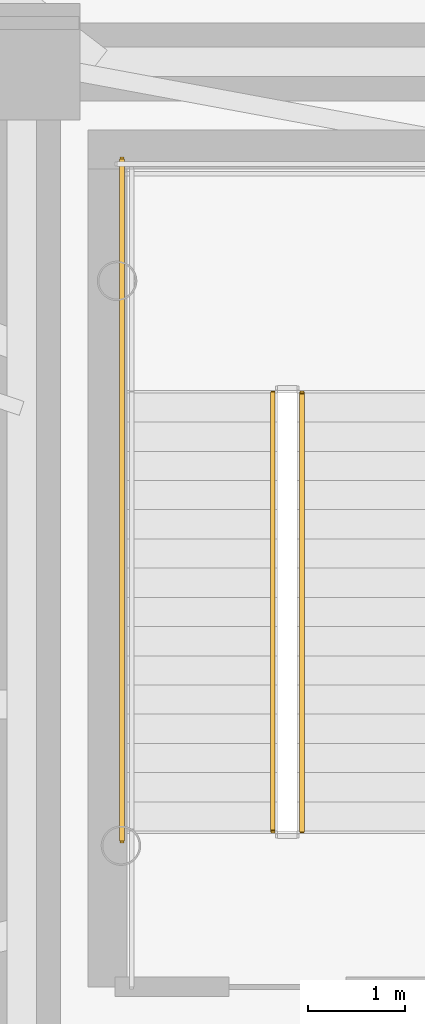
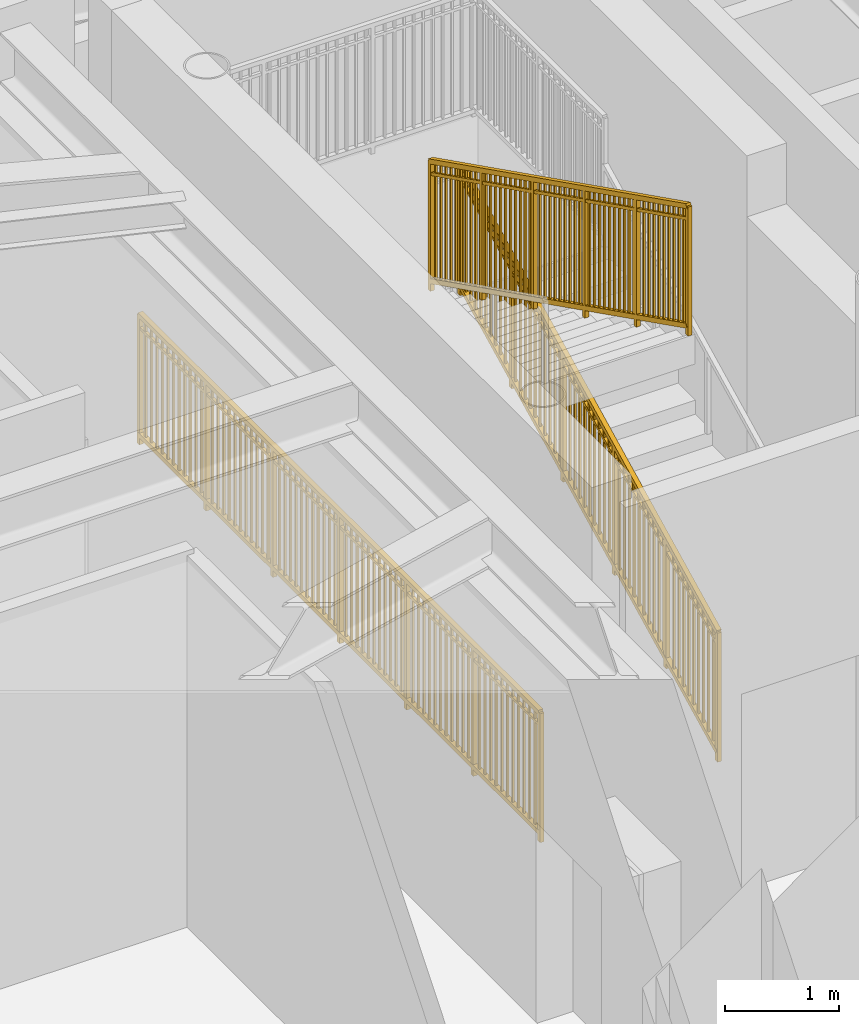
# One storey, part 32 of 38: 3 railings.
"""IFC4 building model written with IfcOpenShell, lengths in metres."""

from ifc_helpers import new_model, si_unit, direction, frame, origin, origin_2d, place, context, subcontext, project, spatial, rectangle, extrude, source, transform, mapped, material, type_object, element, save


model = new_model("IFC4")

# Units and contexts
model_context = context("Model", 3, precision=1e-05, world=origin(), true_north=direction((0.0, 1.0)))
body_context = subcontext(model_context, "Body", "Model", "MODEL_VIEW")
ifc_project = project(units=[si_unit("LENGTHUNIT", "METRE"), si_unit("AREAUNIT", "SQUARE_METRE"), si_unit("VOLUMEUNIT", "CUBIC_METRE"), si_unit("PLANEANGLEUNIT", "RADIAN"), si_unit("MASSUNIT", "GRAM", prefix="KILO")], contexts=[model_context])

# Site, building, storey
site_placement = place(None, origin())
site = spatial("IfcSite", under=ifc_project, at=site_placement, CompositionType="ELEMENT")
building_placement = place(site_placement, origin())
building = spatial("IfcBuilding", under=site, at=building_placement, Name="Linh Dai School and Residence Tower", CompositionType="ELEMENT")
storey_placement = place(building_placement, frame((0.0, 0.0, 151.35009765625)))
storey = spatial("IfcBuildingStorey", under=building, at=storey_placement, Name="L36", CompositionType="ELEMENT", Elevation=151.35009765625)

# Railings
ifc_material = material(Name="Structural Steel S355JR", Category="steel")
railing_type = type_object("IfcRailingType", Name="RL-ST-GUARD-1400", PredefinedType="GUARDRAIL", material=ifc_material)
shared_shape_1 = source(origin(), body_context, "Body", "SweptSolid", [
    extrude(rectangle(XDim=0.048095703125, YDim=0.048095703125, at=origin_2d()), frame((0.0, 0.0, 1.3759765625), z_axis=(0.0, 1.0, 0.0), x_axis=(-1.0, 0.0, 0.0)), (0.0, 0.0, 1.0), 7.0),
    extrude(rectangle(XDim=0.048095703125, YDim=0.048095703125, at=origin_2d()), frame((0.0, 0.0, 0.10009765625), z_axis=(0.0, 1.0, 0.0), x_axis=(-1.0, 0.0, 0.0)), (0.0, 0.0, 1.0), 7.0),
    extrude(rectangle(XDim=0.030029296875, YDim=0.030029296875, at=origin_2d()), frame((0.0, 0.0, 1.239990234375), z_axis=(0.0, 1.0, 0.0), x_axis=(-1.0, 0.0, 0.0)), (0.0, 0.0, 1.0), 7.0),
    extrude(rectangle(XDim=0.02001953125, YDim=0.02001953125, at=origin_2d()), frame((0.0, 0.09716796875, 0.10009765625)), (0.0, 0.0, 1.0), 1.251708984375),
    extrude(rectangle(XDim=0.02001953125, YDim=0.02001953125, at=origin_2d()), frame((0.0, 0.1943359375, 0.10009765625)), (0.0, 0.0, 1.0), 1.251708984375),
    extrude(rectangle(XDim=0.02001953125, YDim=0.02001953125, at=origin_2d()), frame((0.0, 0.291748046875, 0.10009765625)), (0.0, 0.0, 1.0), 1.251708984375),
    extrude(rectangle(XDim=0.02001953125, YDim=0.02001953125, at=origin_2d()), frame((0.0, 0.388916015625, 0.10009765625)), (0.0, 0.0, 1.0), 1.251708984375),
    extrude(rectangle(XDim=0.02001953125, YDim=0.02001953125, at=origin_2d()), frame((0.0, 0.486083984375, 0.10009765625)), (0.0, 0.0, 1.0), 1.251708984375),
    extrude(rectangle(XDim=0.02001953125, YDim=0.02001953125, at=origin_2d()), frame((0.0, 0.583251953125, 0.10009765625)), (0.0, 0.0, 1.0), 1.251708984375),
    extrude(rectangle(XDim=0.02001953125, YDim=0.02001953125, at=origin_2d()), frame((0.0, 0.6806640625, 0.10009765625)), (0.0, 0.0, 1.0), 1.251708984375),
    extrude(rectangle(XDim=0.02001953125, YDim=0.02001953125, at=origin_2d()), frame((0.0, 0.77783203125, 0.10009765625)), (0.0, 0.0, 1.0), 1.251708984375),
    extrude(rectangle(XDim=0.02001953125, YDim=0.02001953125, at=origin_2d()), frame((0.0, 0.875, 0.10009765625)), (0.0, 0.0, 1.0), 1.251708984375),
    extrude(rectangle(XDim=0.02001953125, YDim=0.02001953125, at=origin_2d()), frame((0.0, 0.97216796875, 0.10009765625)), (0.0, 0.0, 1.0), 1.251708984375),
    extrude(rectangle(XDim=0.02001953125, YDim=0.02001953125, at=origin_2d()), frame((0.0, 1.0693359375, 0.10009765625)), (0.0, 0.0, 1.0), 1.251708984375),
    extrude(rectangle(XDim=0.02001953125, YDim=0.02001953125, at=origin_2d()), frame((0.0, 1.263916015625, 0.10009765625)), (0.0, 0.0, 1.0), 1.251708984375),
    extrude(rectangle(XDim=0.02001953125, YDim=0.02001953125, at=origin_2d()), frame((0.0, 1.361083984375, 0.10009765625)), (0.0, 0.0, 1.0), 1.251708984375),
    extrude(rectangle(XDim=0.02001953125, YDim=0.02001953125, at=origin_2d()), frame((0.0, 1.458251953125, 0.10009765625)), (0.0, 0.0, 1.0), 1.251708984375),
    extrude(rectangle(XDim=0.02001953125, YDim=0.02001953125, at=origin_2d()), frame((0.0, 1.5556640625, 0.10009765625)), (0.0, 0.0, 1.0), 1.251708984375),
    extrude(rectangle(XDim=0.02001953125, YDim=0.02001953125, at=origin_2d()), frame((0.0, 1.65283203125, 0.10009765625)), (0.0, 0.0, 1.0), 1.251708984375),
    extrude(rectangle(XDim=0.02001953125, YDim=0.02001953125, at=origin_2d()), frame((0.0, 1.75, 0.10009765625)), (0.0, 0.0, 1.0), 1.251708984375),
    extrude(rectangle(XDim=0.02001953125, YDim=0.02001953125, at=origin_2d()), frame((0.0, 1.84716796875, 0.10009765625)), (0.0, 0.0, 1.0), 1.251708984375),
    extrude(rectangle(XDim=0.02001953125, YDim=0.02001953125, at=origin_2d()), frame((0.0, 1.9443359375, 0.10009765625)), (0.0, 0.0, 1.0), 1.251708984375),
    extrude(rectangle(XDim=0.02001953125, YDim=0.02001953125, at=origin_2d()), frame((0.0, 2.041748046875, 0.10009765625)), (0.0, 0.0, 1.0), 1.251708984375),
    extrude(rectangle(XDim=0.02001953125, YDim=0.02001953125, at=origin_2d()), frame((0.0, 2.138916015625, 0.10009765625)), (0.0, 0.0, 1.0), 1.251708984375),
    extrude(rectangle(XDim=0.02001953125, YDim=0.02001953125, at=origin_2d()), frame((0.0, 2.236083984375, 0.10009765625)), (0.0, 0.0, 1.0), 1.251708984375),
    extrude(rectangle(XDim=0.02001953125, YDim=0.02001953125, at=origin_2d()), frame((0.0, 2.4306640625, 0.10009765625)), (0.0, 0.0, 1.0), 1.251708984375),
    extrude(rectangle(XDim=0.02001953125, YDim=0.02001953125, at=origin_2d()), frame((0.0, 2.52783203125, 0.10009765625)), (0.0, 0.0, 1.0), 1.251708984375),
    extrude(rectangle(XDim=0.02001953125, YDim=0.02001953125, at=origin_2d()), frame((0.0, 2.625, 0.10009765625)), (0.0, 0.0, 1.0), 1.251708984375),
    extrude(rectangle(XDim=0.02001953125, YDim=0.02001953125, at=origin_2d()), frame((0.0, 2.72216796875, 0.10009765625)), (0.0, 0.0, 1.0), 1.251708984375),
    extrude(rectangle(XDim=0.02001953125, YDim=0.02001953125, at=origin_2d()), frame((0.0, 2.8193359375, 0.10009765625)), (0.0, 0.0, 1.0), 1.251708984375),
    extrude(rectangle(XDim=0.02001953125, YDim=0.02001953125, at=origin_2d()), frame((0.0, 2.916748046875, 0.10009765625)), (0.0, 0.0, 1.0), 1.251708984375),
    extrude(rectangle(XDim=0.02001953125, YDim=0.02001953125, at=origin_2d()), frame((0.0, 3.013916015625, 0.10009765625)), (0.0, 0.0, 1.0), 1.251708984375),
    extrude(rectangle(XDim=0.02001953125, YDim=0.02001953125, at=origin_2d()), frame((0.0, 3.111083984375, 0.10009765625)), (0.0, 0.0, 1.0), 1.251708984375),
    extrude(rectangle(XDim=0.02001953125, YDim=0.02001953125, at=origin_2d()), frame((0.0, 3.208251953125, 0.10009765625)), (0.0, 0.0, 1.0), 1.251708984375),
    extrude(rectangle(XDim=0.02001953125, YDim=0.02001953125, at=origin_2d()), frame((0.0, 3.3056640625, 0.10009765625)), (0.0, 0.0, 1.0), 1.251708984375),
    extrude(rectangle(XDim=0.02001953125, YDim=0.02001953125, at=origin_2d()), frame((0.0, 3.40283203125, 0.10009765625)), (0.0, 0.0, 1.0), 1.251708984375),
    extrude(rectangle(XDim=0.02001953125, YDim=0.02001953125, at=origin_2d()), frame((0.0, 3.59716796875, 0.10009765625)), (0.0, 0.0, 1.0), 1.251708984375),
    extrude(rectangle(XDim=0.02001953125, YDim=0.02001953125, at=origin_2d()), frame((0.0, 3.6943359375, 0.10009765625)), (0.0, 0.0, 1.0), 1.251708984375),
    extrude(rectangle(XDim=0.02001953125, YDim=0.02001953125, at=origin_2d()), frame((0.0, 3.791748046875, 0.10009765625)), (0.0, 0.0, 1.0), 1.251708984375),
    extrude(rectangle(XDim=0.02001953125, YDim=0.02001953125, at=origin_2d()), frame((0.0, 3.888916015625, 0.10009765625)), (0.0, 0.0, 1.0), 1.251708984375),
    extrude(rectangle(XDim=0.02001953125, YDim=0.02001953125, at=origin_2d()), frame((0.0, 3.986083984375, 0.10009765625)), (0.0, 0.0, 1.0), 1.251708984375),
    extrude(rectangle(XDim=0.02001953125, YDim=0.02001953125, at=origin_2d()), frame((0.0, 4.083251953125, 0.10009765625)), (0.0, 0.0, 1.0), 1.251708984375),
    extrude(rectangle(XDim=0.02001953125, YDim=0.02001953125, at=origin_2d()), frame((0.0, 4.1806640625, 0.10009765625)), (0.0, 0.0, 1.0), 1.251708984375),
    extrude(rectangle(XDim=0.02001953125, YDim=0.02001953125, at=origin_2d()), frame((0.0, 4.27783203125, 0.10009765625)), (0.0, 0.0, 1.0), 1.251708984375),
    extrude(rectangle(XDim=0.02001953125, YDim=0.02001953125, at=origin_2d()), frame((0.0, 4.375, 0.10009765625)), (0.0, 0.0, 1.0), 1.251708984375),
    extrude(rectangle(XDim=0.02001953125, YDim=0.02001953125, at=origin_2d()), frame((0.0, 4.47216796875, 0.10009765625)), (0.0, 0.0, 1.0), 1.251708984375),
    extrude(rectangle(XDim=0.02001953125, YDim=0.02001953125, at=origin_2d()), frame((0.0, 4.5693359375, 0.10009765625)), (0.0, 0.0, 1.0), 1.251708984375),
    extrude(rectangle(XDim=0.02001953125, YDim=0.02001953125, at=origin_2d()), frame((0.0, 4.763916015625, 0.10009765625)), (0.0, 0.0, 1.0), 1.251708984375),
    extrude(rectangle(XDim=0.02001953125, YDim=0.02001953125, at=origin_2d()), frame((0.0, 4.861083984375, 0.10009765625)), (0.0, 0.0, 1.0), 1.251708984375),
    extrude(rectangle(XDim=0.02001953125, YDim=0.02001953125, at=origin_2d()), frame((0.0, 4.958251953125, 0.10009765625)), (0.0, 0.0, 1.0), 1.251708984375),
    extrude(rectangle(XDim=0.02001953125, YDim=0.02001953125, at=origin_2d()), frame((0.0, 5.0556640625, 0.10009765625)), (0.0, 0.0, 1.0), 1.251708984375),
    extrude(rectangle(XDim=0.02001953125, YDim=0.02001953125, at=origin_2d()), frame((0.0, 5.15283203125, 0.10009765625)), (0.0, 0.0, 1.0), 1.251708984375),
    extrude(rectangle(XDim=0.02001953125, YDim=0.02001953125, at=origin_2d()), frame((0.0, 5.25, 0.10009765625)), (0.0, 0.0, 1.0), 1.251708984375),
    extrude(rectangle(XDim=0.02001953125, YDim=0.02001953125, at=origin_2d()), frame((0.0, 5.34716796875, 0.10009765625)), (0.0, 0.0, 1.0), 1.251708984375),
    extrude(rectangle(XDim=0.02001953125, YDim=0.02001953125, at=origin_2d()), frame((0.0, 5.4443359375, 0.10009765625)), (0.0, 0.0, 1.0), 1.251708984375),
    extrude(rectangle(XDim=0.02001953125, YDim=0.02001953125, at=origin_2d()), frame((0.0, 5.541748046875, 0.10009765625)), (0.0, 0.0, 1.0), 1.251708984375),
    extrude(rectangle(XDim=0.02001953125, YDim=0.02001953125, at=origin_2d()), frame((0.0, 5.638916015625, 0.10009765625)), (0.0, 0.0, 1.0), 1.251708984375),
    extrude(rectangle(XDim=0.02001953125, YDim=0.02001953125, at=origin_2d()), frame((0.0, 5.736083984375, 0.10009765625)), (0.0, 0.0, 1.0), 1.251708984375),
    extrude(rectangle(XDim=0.02001953125, YDim=0.02001953125, at=origin_2d()), frame((0.0, 5.9306640625, 0.10009765625)), (0.0, 0.0, 1.0), 1.251708984375),
    extrude(rectangle(XDim=0.02001953125, YDim=0.02001953125, at=origin_2d()), frame((0.0, 6.02783203125, 0.10009765625)), (0.0, 0.0, 1.0), 1.251708984375),
    extrude(rectangle(XDim=0.02001953125, YDim=0.02001953125, at=origin_2d()), frame((0.0, 6.125, 0.10009765625)), (0.0, 0.0, 1.0), 1.251708984375),
    extrude(rectangle(XDim=0.02001953125, YDim=0.02001953125, at=origin_2d()), frame((0.0, 6.22216796875, 0.10009765625)), (0.0, 0.0, 1.0), 1.251708984375),
    extrude(rectangle(XDim=0.02001953125, YDim=0.02001953125, at=origin_2d()), frame((0.0, 6.3193359375, 0.10009765625)), (0.0, 0.0, 1.0), 1.251708984375),
    extrude(rectangle(XDim=0.02001953125, YDim=0.02001953125, at=origin_2d()), frame((0.0, 6.416748046875, 0.10009765625)), (0.0, 0.0, 1.0), 1.251708984375),
    extrude(rectangle(XDim=0.02001953125, YDim=0.02001953125, at=origin_2d()), frame((0.0, 6.513916015625, 0.10009765625)), (0.0, 0.0, 1.0), 1.251708984375),
    extrude(rectangle(XDim=0.02001953125, YDim=0.02001953125, at=origin_2d()), frame((0.0, 6.611083984375, 0.10009765625)), (0.0, 0.0, 1.0), 1.251708984375),
    extrude(rectangle(XDim=0.02001953125, YDim=0.02001953125, at=origin_2d()), frame((0.0, 6.708251953125, 0.10009765625)), (0.0, 0.0, 1.0), 1.251708984375),
    extrude(rectangle(XDim=0.02001953125, YDim=0.02001953125, at=origin_2d()), frame((0.0, 6.8056640625, 0.10009765625)), (0.0, 0.0, 1.0), 1.251708984375),
    extrude(rectangle(XDim=0.02001953125, YDim=0.02001953125, at=origin_2d()), frame((0.0, 6.90283203125, 0.10009765625)), (0.0, 0.0, 1.0), 1.251708984375),
    extrude(rectangle(XDim=0.0419921875, YDim=0.0419921875, at=origin_2d()), origin(), (0.0, 0.0, 1.0), 1.3759765625),
    extrude(rectangle(XDim=0.0419921875, YDim=0.0419921875, at=origin_2d()), frame((0.0, 1.166748046875, 0.0)), (0.0, 0.0, 1.0), 1.3759765625),
    extrude(rectangle(XDim=0.0419921875, YDim=0.0419921875, at=origin_2d()), frame((0.0, 2.333251953125, 0.0)), (0.0, 0.0, 1.0), 1.3759765625),
    extrude(rectangle(XDim=0.0419921875, YDim=0.0419921875, at=origin_2d()), frame((0.0, 3.5, 0.0)), (0.0, 0.0, 1.0), 1.3759765625),
    extrude(rectangle(XDim=0.0419921875, YDim=0.0419921875, at=origin_2d()), frame((0.0, 4.666748046875, 0.0)), (0.0, 0.0, 1.0), 1.3759765625),
    extrude(rectangle(XDim=0.0419921875, YDim=0.0419921875, at=origin_2d()), frame((0.0, 5.833251953125, 0.0)), (0.0, 0.0, 1.0), 1.3759765625),
    extrude(rectangle(XDim=0.0419921875, YDim=0.0419921875, at=origin_2d()), frame((0.0, 7.0, 0.0)), (0.0, 0.0, 1.0), 1.3759765625),
])
railing_1_placement = place(storey_placement, frame((27.6298828125, 25.60009765625, 0.0)))
element("IfcRailing", 1, at=railing_1_placement, inside=storey, type_object=railing_type, Name="L36 ST1 stair guard 11", PredefinedType="GUARDRAIL", context=body_context, shape_type="MappedRepresentation", body=[
    mapped(shared_shape_1, transform((0.0, 0.0, 0.0), x_axis=(1.0, 0.0, 0.0), y_axis=(0.0, 1.0, 0.0), z_axis=(0.0, 0.0, 1.0), scale=1.0)),
])
shared_shape_2 = source(origin(), body_context, "Body", "SweptSolid", [
    extrude(rectangle(XDim=0.048095703125, YDim=0.048095703125, at=origin_2d()), frame((0.0, 0.0, 1.3759765625), z_axis=(0.0, 0.894427191, 0.4472135955), x_axis=(-1.0, 0.0, 0.0)), (0.0, 0.0, 1.0), 5.03125),
    extrude(rectangle(XDim=0.048095703125, YDim=0.048095703125, at=origin_2d()), frame((0.0, 0.0, 0.10009765625), z_axis=(0.0, 0.894427191, 0.4472135955), x_axis=(-1.0, 0.0, 0.0)), (0.0, 0.0, 1.0), 5.03125),
    extrude(rectangle(XDim=0.030029296875, YDim=0.030029296875, at=origin_2d()), frame((0.0, 0.0, 1.239990234375), z_axis=(0.0, 0.894427191, 0.4472135955), x_axis=(-1.0, 0.0, 0.0)), (0.0, 0.0, 1.0), 5.03125),
    extrude(rectangle(XDim=0.02001953125, YDim=0.02001953125, at=origin_2d()), frame((0.0, 0.08642578125, 0.143310546875)), (0.0, 0.0, 1.0), 1.251708984375),
    extrude(rectangle(XDim=0.02001953125, YDim=0.02001953125, at=origin_2d()), frame((0.0, 0.173095703125, 0.1865234375)), (0.0, 0.0, 1.0), 1.251708984375),
    extrude(rectangle(XDim=0.02001953125, YDim=0.02001953125, at=origin_2d()), frame((0.0, 0.259521484375, 0.22998046875)), (0.0, 0.0, 1.0), 1.251708984375),
    extrude(rectangle(XDim=0.02001953125, YDim=0.02001953125, at=origin_2d()), frame((0.0, 0.34619140625, 0.273193359375)), (0.0, 0.0, 1.0), 1.251708984375),
    extrude(rectangle(XDim=0.02001953125, YDim=0.02001953125, at=origin_2d()), frame((0.0, 0.4326171875, 0.31640625)), (0.0, 0.0, 1.0), 1.251708984375),
    extrude(rectangle(XDim=0.02001953125, YDim=0.02001953125, at=origin_2d()), frame((0.0, 0.519287109375, 0.359619140625)), (0.0, 0.0, 1.0), 1.251708984375),
    extrude(rectangle(XDim=0.02001953125, YDim=0.02001953125, at=origin_2d()), frame((0.0, 0.605712890625, 0.403076171875)), (0.0, 0.0, 1.0), 1.251708984375),
    extrude(rectangle(XDim=0.02001953125, YDim=0.02001953125, at=origin_2d()), frame((0.0, 0.6923828125, 0.4462890625)), (0.0, 0.0, 1.0), 1.251708984375),
    extrude(rectangle(XDim=0.02001953125, YDim=0.02001953125, at=origin_2d()), frame((0.0, 0.77880859375, 0.489501953125)), (0.0, 0.0, 1.0), 1.251708984375),
    extrude(rectangle(XDim=0.02001953125, YDim=0.02001953125, at=origin_2d()), frame((0.0, 0.951904296875, 0.576171875)), (0.0, 0.0, 1.0), 1.251708984375),
    extrude(rectangle(XDim=0.02001953125, YDim=0.02001953125, at=origin_2d()), frame((0.0, 1.03857421875, 0.619384765625)), (0.0, 0.0, 1.0), 1.251708984375),
    extrude(rectangle(XDim=0.02001953125, YDim=0.02001953125, at=origin_2d()), frame((0.0, 1.125, 0.66259765625)), (0.0, 0.0, 1.0), 1.251708984375),
    extrude(rectangle(XDim=0.02001953125, YDim=0.02001953125, at=origin_2d()), frame((0.0, 1.21142578125, 0.705810546875)), (0.0, 0.0, 1.0), 1.251708984375),
    extrude(rectangle(XDim=0.02001953125, YDim=0.02001953125, at=origin_2d()), frame((0.0, 1.298095703125, 0.7490234375)), (0.0, 0.0, 1.0), 1.251708984375),
    extrude(rectangle(XDim=0.02001953125, YDim=0.02001953125, at=origin_2d()), frame((0.0, 1.384521484375, 0.79248046875)), (0.0, 0.0, 1.0), 1.251708984375),
    extrude(rectangle(XDim=0.02001953125, YDim=0.02001953125, at=origin_2d()), frame((0.0, 1.47119140625, 0.835693359375)), (0.0, 0.0, 1.0), 1.251708984375),
    extrude(rectangle(XDim=0.02001953125, YDim=0.02001953125, at=origin_2d()), frame((0.0, 1.5576171875, 0.87890625)), (0.0, 0.0, 1.0), 1.251708984375),
    extrude(rectangle(XDim=0.02001953125, YDim=0.02001953125, at=origin_2d()), frame((0.0, 1.644287109375, 0.922119140625)), (0.0, 0.0, 1.0), 1.251708984375),
    extrude(rectangle(XDim=0.02001953125, YDim=0.02001953125, at=origin_2d()), frame((0.0, 1.730712890625, 0.965576171875)), (0.0, 0.0, 1.0), 1.251708984375),
    extrude(rectangle(XDim=0.02001953125, YDim=0.02001953125, at=origin_2d()), frame((0.0, 1.90380859375, 1.052001953125)), (0.0, 0.0, 1.0), 1.251708984375),
    extrude(rectangle(XDim=0.02001953125, YDim=0.02001953125, at=origin_2d()), frame((0.0, 1.990478515625, 1.09521484375)), (0.0, 0.0, 1.0), 1.251708984375),
    extrude(rectangle(XDim=0.02001953125, YDim=0.02001953125, at=origin_2d()), frame((0.0, 2.076904296875, 1.138671875)), (0.0, 0.0, 1.0), 1.251708984375),
    extrude(rectangle(XDim=0.02001953125, YDim=0.02001953125, at=origin_2d()), frame((0.0, 2.16357421875, 1.181884765625)), (0.0, 0.0, 1.0), 1.251708984375),
    extrude(rectangle(XDim=0.02001953125, YDim=0.02001953125, at=origin_2d()), frame((0.0, 2.25, 1.22509765625)), (0.0, 0.0, 1.0), 1.251708984375),
    extrude(rectangle(XDim=0.02001953125, YDim=0.02001953125, at=origin_2d()), frame((0.0, 2.33642578125, 1.268310546875)), (0.0, 0.0, 1.0), 1.251708984375),
    extrude(rectangle(XDim=0.02001953125, YDim=0.02001953125, at=origin_2d()), frame((0.0, 2.423095703125, 1.3115234375)), (0.0, 0.0, 1.0), 1.251708984375),
    extrude(rectangle(XDim=0.02001953125, YDim=0.02001953125, at=origin_2d()), frame((0.0, 2.509521484375, 1.35498046875)), (0.0, 0.0, 1.0), 1.251708984375),
    extrude(rectangle(XDim=0.02001953125, YDim=0.02001953125, at=origin_2d()), frame((0.0, 2.59619140625, 1.398193359375)), (0.0, 0.0, 1.0), 1.251708984375),
    extrude(rectangle(XDim=0.02001953125, YDim=0.02001953125, at=origin_2d()), frame((0.0, 2.769287109375, 1.484619140625)), (0.0, 0.0, 1.0), 1.251708984375),
    extrude(rectangle(XDim=0.02001953125, YDim=0.02001953125, at=origin_2d()), frame((0.0, 2.855712890625, 1.528076171875)), (0.0, 0.0, 1.0), 1.251708984375),
    extrude(rectangle(XDim=0.02001953125, YDim=0.02001953125, at=origin_2d()), frame((0.0, 2.9423828125, 1.5712890625)), (0.0, 0.0, 1.0), 1.251708984375),
    extrude(rectangle(XDim=0.02001953125, YDim=0.02001953125, at=origin_2d()), frame((0.0, 3.02880859375, 1.614501953125)), (0.0, 0.0, 1.0), 1.251708984375),
    extrude(rectangle(XDim=0.02001953125, YDim=0.02001953125, at=origin_2d()), frame((0.0, 3.115478515625, 1.65771484375)), (0.0, 0.0, 1.0), 1.251708984375),
    extrude(rectangle(XDim=0.02001953125, YDim=0.02001953125, at=origin_2d()), frame((0.0, 3.201904296875, 1.701171875)), (0.0, 0.0, 1.0), 1.251708984375),
    extrude(rectangle(XDim=0.02001953125, YDim=0.02001953125, at=origin_2d()), frame((0.0, 3.28857421875, 1.744384765625)), (0.0, 0.0, 1.0), 1.251708984375),
    extrude(rectangle(XDim=0.02001953125, YDim=0.02001953125, at=origin_2d()), frame((0.0, 3.375, 1.78759765625)), (0.0, 0.0, 1.0), 1.251708984375),
    extrude(rectangle(XDim=0.02001953125, YDim=0.02001953125, at=origin_2d()), frame((0.0, 3.46142578125, 1.830810546875)), (0.0, 0.0, 1.0), 1.251708984375),
    extrude(rectangle(XDim=0.02001953125, YDim=0.02001953125, at=origin_2d()), frame((0.0, 3.548095703125, 1.8740234375)), (0.0, 0.0, 1.0), 1.251708984375),
    extrude(rectangle(XDim=0.02001953125, YDim=0.02001953125, at=origin_2d()), frame((0.0, 3.72119140625, 1.960693359375)), (0.0, 0.0, 1.0), 1.251708984375),
    extrude(rectangle(XDim=0.02001953125, YDim=0.02001953125, at=origin_2d()), frame((0.0, 3.8076171875, 2.00390625)), (0.0, 0.0, 1.0), 1.251708984375),
    extrude(rectangle(XDim=0.02001953125, YDim=0.02001953125, at=origin_2d()), frame((0.0, 3.894287109375, 2.047119140625)), (0.0, 0.0, 1.0), 1.251708984375),
    extrude(rectangle(XDim=0.02001953125, YDim=0.02001953125, at=origin_2d()), frame((0.0, 3.980712890625, 2.090576171875)), (0.0, 0.0, 1.0), 1.251708984375),
    extrude(rectangle(XDim=0.02001953125, YDim=0.02001953125, at=origin_2d()), frame((0.0, 4.0673828125, 2.1337890625)), (0.0, 0.0, 1.0), 1.251708984375),
    extrude(rectangle(XDim=0.02001953125, YDim=0.02001953125, at=origin_2d()), frame((0.0, 4.15380859375, 2.177001953125)), (0.0, 0.0, 1.0), 1.251708984375),
    extrude(rectangle(XDim=0.02001953125, YDim=0.02001953125, at=origin_2d()), frame((0.0, 4.240478515625, 2.22021484375)), (0.0, 0.0, 1.0), 1.251708984375),
    extrude(rectangle(XDim=0.02001953125, YDim=0.02001953125, at=origin_2d()), frame((0.0, 4.326904296875, 2.263671875)), (0.0, 0.0, 1.0), 1.251708984375),
    extrude(rectangle(XDim=0.02001953125, YDim=0.02001953125, at=origin_2d()), frame((0.0, 4.41357421875, 2.306884765625)), (0.0, 0.0, 1.0), 1.251708984375),
    extrude(rectangle(XDim=0.0419921875, YDim=0.0419921875, at=origin_2d()), origin(), (0.0, 0.0, 1.0), 1.3759765625),
    extrude(rectangle(XDim=0.0419921875, YDim=0.0419921875, at=origin_2d()), frame((0.0, 0.89990234375, 0.449951171875)), (0.0, 0.0, 1.0), 1.3759765625),
    extrude(rectangle(XDim=0.0419921875, YDim=0.0419921875, at=origin_2d()), frame((0.0, 1.800048828125, 0.89990234375)), (0.0, 0.0, 1.0), 1.3759765625),
    extrude(rectangle(XDim=0.0419921875, YDim=0.0419921875, at=origin_2d()), frame((0.0, 2.699951171875, 1.35009765625)), (0.0, 0.0, 1.0), 1.3759765625),
    extrude(rectangle(XDim=0.0419921875, YDim=0.0419921875, at=origin_2d()), frame((0.0, 3.60009765625, 1.800048828125)), (0.0, 0.0, 1.0), 1.3759765625),
    extrude(rectangle(XDim=0.0419921875, YDim=0.0419921875, at=origin_2d()), frame((0.0, 4.5, 2.25)), (0.0, 0.0, 1.0), 1.3759765625),
])
railing_2_placement = place(storey_placement, frame((29.47998046875, 25.699951171875, 0.14990234375)))
element("IfcRailing", 2, at=railing_2_placement, inside=storey, type_object=railing_type, Name="L36 ST1 stair guard 1", PredefinedType="GUARDRAIL", context=body_context, shape_type="MappedRepresentation", body=[
    mapped(shared_shape_2, transform((0.0, 0.0, 0.0), x_axis=(1.0, 0.0, 0.0), y_axis=(0.0, 1.0, 0.0), z_axis=(0.0, 0.0, 1.0), scale=1.0)),
])
shared_shape_3 = source(origin(), body_context, "Body", "SweptSolid", [
    extrude(rectangle(XDim=0.048095703125, YDim=0.048095703125, at=origin_2d()), frame((0.0, 0.0, 1.3759765625), z_axis=(0.0, -0.894427191, 0.4472135955), x_axis=(1.0, 0.0, 0.0)), (0.0, 0.0, 1.0), 5.03125),
    extrude(rectangle(XDim=0.048095703125, YDim=0.048095703125, at=origin_2d()), frame((0.0, 0.0, 0.10009765625), z_axis=(0.0, -0.894427191, 0.4472135955), x_axis=(1.0, 0.0, 0.0)), (0.0, 0.0, 1.0), 5.03125),
    extrude(rectangle(XDim=0.030029296875, YDim=0.030029296875, at=origin_2d()), frame((0.0, 0.0, 1.239990234375), z_axis=(0.0, -0.894427191, 0.4472135955), x_axis=(1.0, 0.0, 0.0)), (0.0, 0.0, 1.0), 5.03125),
    extrude(rectangle(XDim=0.02001953125, YDim=0.02001953125, at=origin_2d()), frame((0.0, -0.08642578125, 0.143310546875)), (0.0, 0.0, 1.0), 1.251708984375),
    extrude(rectangle(XDim=0.02001953125, YDim=0.02001953125, at=origin_2d()), frame((0.0, -0.173095703125, 0.1865234375)), (0.0, 0.0, 1.0), 1.251708984375),
    extrude(rectangle(XDim=0.02001953125, YDim=0.02001953125, at=origin_2d()), frame((0.0, -0.259521484375, 0.22998046875)), (0.0, 0.0, 1.0), 1.251708984375),
    extrude(rectangle(XDim=0.02001953125, YDim=0.02001953125, at=origin_2d()), frame((0.0, -0.34619140625, 0.273193359375)), (0.0, 0.0, 1.0), 1.251708984375),
    extrude(rectangle(XDim=0.02001953125, YDim=0.02001953125, at=origin_2d()), frame((0.0, -0.4326171875, 0.31640625)), (0.0, 0.0, 1.0), 1.251708984375),
    extrude(rectangle(XDim=0.02001953125, YDim=0.02001953125, at=origin_2d()), frame((0.0, -0.519287109375, 0.359619140625)), (0.0, 0.0, 1.0), 1.251708984375),
    extrude(rectangle(XDim=0.02001953125, YDim=0.02001953125, at=origin_2d()), frame((0.0, -0.605712890625, 0.403076171875)), (0.0, 0.0, 1.0), 1.251708984375),
    extrude(rectangle(XDim=0.02001953125, YDim=0.02001953125, at=origin_2d()), frame((0.0, -0.6923828125, 0.4462890625)), (0.0, 0.0, 1.0), 1.251708984375),
    extrude(rectangle(XDim=0.02001953125, YDim=0.02001953125, at=origin_2d()), frame((0.0, -0.77880859375, 0.489501953125)), (0.0, 0.0, 1.0), 1.251708984375),
    extrude(rectangle(XDim=0.02001953125, YDim=0.02001953125, at=origin_2d()), frame((0.0, -0.951904296875, 0.576171875)), (0.0, 0.0, 1.0), 1.251708984375),
    extrude(rectangle(XDim=0.02001953125, YDim=0.02001953125, at=origin_2d()), frame((0.0, -1.03857421875, 0.619384765625)), (0.0, 0.0, 1.0), 1.251708984375),
    extrude(rectangle(XDim=0.02001953125, YDim=0.02001953125, at=origin_2d()), frame((0.0, -1.125, 0.66259765625)), (0.0, 0.0, 1.0), 1.251708984375),
    extrude(rectangle(XDim=0.02001953125, YDim=0.02001953125, at=origin_2d()), frame((0.0, -1.21142578125, 0.705810546875)), (0.0, 0.0, 1.0), 1.251708984375),
    extrude(rectangle(XDim=0.02001953125, YDim=0.02001953125, at=origin_2d()), frame((0.0, -1.298095703125, 0.7490234375)), (0.0, 0.0, 1.0), 1.251708984375),
    extrude(rectangle(XDim=0.02001953125, YDim=0.02001953125, at=origin_2d()), frame((0.0, -1.384521484375, 0.79248046875)), (0.0, 0.0, 1.0), 1.251708984375),
    extrude(rectangle(XDim=0.02001953125, YDim=0.02001953125, at=origin_2d()), frame((0.0, -1.47119140625, 0.835693359375)), (0.0, 0.0, 1.0), 1.251708984375),
    extrude(rectangle(XDim=0.02001953125, YDim=0.02001953125, at=origin_2d()), frame((0.0, -1.5576171875, 0.87890625)), (0.0, 0.0, 1.0), 1.251708984375),
    extrude(rectangle(XDim=0.02001953125, YDim=0.02001953125, at=origin_2d()), frame((0.0, -1.644287109375, 0.922119140625)), (0.0, 0.0, 1.0), 1.251708984375),
    extrude(rectangle(XDim=0.02001953125, YDim=0.02001953125, at=origin_2d()), frame((0.0, -1.730712890625, 0.965576171875)), (0.0, 0.0, 1.0), 1.251708984375),
    extrude(rectangle(XDim=0.02001953125, YDim=0.02001953125, at=origin_2d()), frame((0.0, -1.90380859375, 1.052001953125)), (0.0, 0.0, 1.0), 1.251708984375),
    extrude(rectangle(XDim=0.02001953125, YDim=0.02001953125, at=origin_2d()), frame((0.0, -1.990478515625, 1.09521484375)), (0.0, 0.0, 1.0), 1.251708984375),
    extrude(rectangle(XDim=0.02001953125, YDim=0.02001953125, at=origin_2d()), frame((0.0, -2.076904296875, 1.138671875)), (0.0, 0.0, 1.0), 1.251708984375),
    extrude(rectangle(XDim=0.02001953125, YDim=0.02001953125, at=origin_2d()), frame((0.0, -2.16357421875, 1.181884765625)), (0.0, 0.0, 1.0), 1.251708984375),
    extrude(rectangle(XDim=0.02001953125, YDim=0.02001953125, at=origin_2d()), frame((0.0, -2.25, 1.22509765625)), (0.0, 0.0, 1.0), 1.251708984375),
    extrude(rectangle(XDim=0.02001953125, YDim=0.02001953125, at=origin_2d()), frame((0.0, -2.33642578125, 1.268310546875)), (0.0, 0.0, 1.0), 1.251708984375),
    extrude(rectangle(XDim=0.02001953125, YDim=0.02001953125, at=origin_2d()), frame((0.0, -2.423095703125, 1.3115234375)), (0.0, 0.0, 1.0), 1.251708984375),
    extrude(rectangle(XDim=0.02001953125, YDim=0.02001953125, at=origin_2d()), frame((0.0, -2.509521484375, 1.35498046875)), (0.0, 0.0, 1.0), 1.251708984375),
    extrude(rectangle(XDim=0.02001953125, YDim=0.02001953125, at=origin_2d()), frame((0.0, -2.59619140625, 1.398193359375)), (0.0, 0.0, 1.0), 1.251708984375),
    extrude(rectangle(XDim=0.02001953125, YDim=0.02001953125, at=origin_2d()), frame((0.0, -2.769287109375, 1.484619140625)), (0.0, 0.0, 1.0), 1.251708984375),
    extrude(rectangle(XDim=0.02001953125, YDim=0.02001953125, at=origin_2d()), frame((0.0, -2.855712890625, 1.528076171875)), (0.0, 0.0, 1.0), 1.251708984375),
    extrude(rectangle(XDim=0.02001953125, YDim=0.02001953125, at=origin_2d()), frame((0.0, -2.9423828125, 1.5712890625)), (0.0, 0.0, 1.0), 1.251708984375),
    extrude(rectangle(XDim=0.02001953125, YDim=0.02001953125, at=origin_2d()), frame((0.0, -3.02880859375, 1.614501953125)), (0.0, 0.0, 1.0), 1.251708984375),
    extrude(rectangle(XDim=0.02001953125, YDim=0.02001953125, at=origin_2d()), frame((0.0, -3.115478515625, 1.65771484375)), (0.0, 0.0, 1.0), 1.251708984375),
    extrude(rectangle(XDim=0.02001953125, YDim=0.02001953125, at=origin_2d()), frame((0.0, -3.201904296875, 1.701171875)), (0.0, 0.0, 1.0), 1.251708984375),
    extrude(rectangle(XDim=0.02001953125, YDim=0.02001953125, at=origin_2d()), frame((0.0, -3.28857421875, 1.744384765625)), (0.0, 0.0, 1.0), 1.251708984375),
    extrude(rectangle(XDim=0.02001953125, YDim=0.02001953125, at=origin_2d()), frame((0.0, -3.375, 1.78759765625)), (0.0, 0.0, 1.0), 1.251708984375),
    extrude(rectangle(XDim=0.02001953125, YDim=0.02001953125, at=origin_2d()), frame((0.0, -3.46142578125, 1.830810546875)), (0.0, 0.0, 1.0), 1.251708984375),
    extrude(rectangle(XDim=0.02001953125, YDim=0.02001953125, at=origin_2d()), frame((0.0, -3.548095703125, 1.8740234375)), (0.0, 0.0, 1.0), 1.251708984375),
    extrude(rectangle(XDim=0.02001953125, YDim=0.02001953125, at=origin_2d()), frame((0.0, -3.72119140625, 1.960693359375)), (0.0, 0.0, 1.0), 1.251708984375),
    extrude(rectangle(XDim=0.02001953125, YDim=0.02001953125, at=origin_2d()), frame((0.0, -3.8076171875, 2.00390625)), (0.0, 0.0, 1.0), 1.251708984375),
    extrude(rectangle(XDim=0.02001953125, YDim=0.02001953125, at=origin_2d()), frame((0.0, -3.894287109375, 2.047119140625)), (0.0, 0.0, 1.0), 1.251708984375),
    extrude(rectangle(XDim=0.02001953125, YDim=0.02001953125, at=origin_2d()), frame((0.0, -3.980712890625, 2.090576171875)), (0.0, 0.0, 1.0), 1.251708984375),
    extrude(rectangle(XDim=0.02001953125, YDim=0.02001953125, at=origin_2d()), frame((0.0, -4.0673828125, 2.1337890625)), (0.0, 0.0, 1.0), 1.251708984375),
    extrude(rectangle(XDim=0.02001953125, YDim=0.02001953125, at=origin_2d()), frame((0.0, -4.15380859375, 2.177001953125)), (0.0, 0.0, 1.0), 1.251708984375),
    extrude(rectangle(XDim=0.02001953125, YDim=0.02001953125, at=origin_2d()), frame((0.0, -4.240478515625, 2.22021484375)), (0.0, 0.0, 1.0), 1.251708984375),
    extrude(rectangle(XDim=0.02001953125, YDim=0.02001953125, at=origin_2d()), frame((0.0, -4.326904296875, 2.263671875)), (0.0, 0.0, 1.0), 1.251708984375),
    extrude(rectangle(XDim=0.02001953125, YDim=0.02001953125, at=origin_2d()), frame((0.0, -4.41357421875, 2.306884765625)), (0.0, 0.0, 1.0), 1.251708984375),
    extrude(rectangle(XDim=0.0419921875, YDim=0.0419921875, at=origin_2d()), origin(), (0.0, 0.0, 1.0), 1.3759765625),
    extrude(rectangle(XDim=0.0419921875, YDim=0.0419921875, at=origin_2d()), frame((0.0, -0.89990234375, 0.449951171875)), (0.0, 0.0, 1.0), 1.3759765625),
    extrude(rectangle(XDim=0.0419921875, YDim=0.0419921875, at=origin_2d()), frame((0.0, -1.800048828125, 0.89990234375)), (0.0, 0.0, 1.0), 1.3759765625),
    extrude(rectangle(XDim=0.0419921875, YDim=0.0419921875, at=origin_2d()), frame((0.0, -2.699951171875, 1.35009765625)), (0.0, 0.0, 1.0), 1.3759765625),
    extrude(rectangle(XDim=0.0419921875, YDim=0.0419921875, at=origin_2d()), frame((0.0, -3.60009765625, 1.800048828125)), (0.0, 0.0, 1.0), 1.3759765625),
    extrude(rectangle(XDim=0.0419921875, YDim=0.0419921875, at=origin_2d()), frame((0.0, -4.5, 2.25)), (0.0, 0.0, 1.0), 1.3759765625),
])
railing_3_placement = place(storey_placement, frame((29.179931640625, 30.199951171875, 2.5498046875)))
element("IfcRailing", 3, at=railing_3_placement, inside=storey, type_object=railing_type, Name="L36 ST1 stair guard 6", PredefinedType="GUARDRAIL", context=body_context, shape_type="MappedRepresentation", body=[
    mapped(shared_shape_3, transform((0.0, 0.0, 0.0), x_axis=(1.0, 0.0, 0.0), y_axis=(0.0, 1.0, 0.0), z_axis=(0.0, 0.0, 1.0), scale=1.0)),
])

save(model, "model.ifc")
